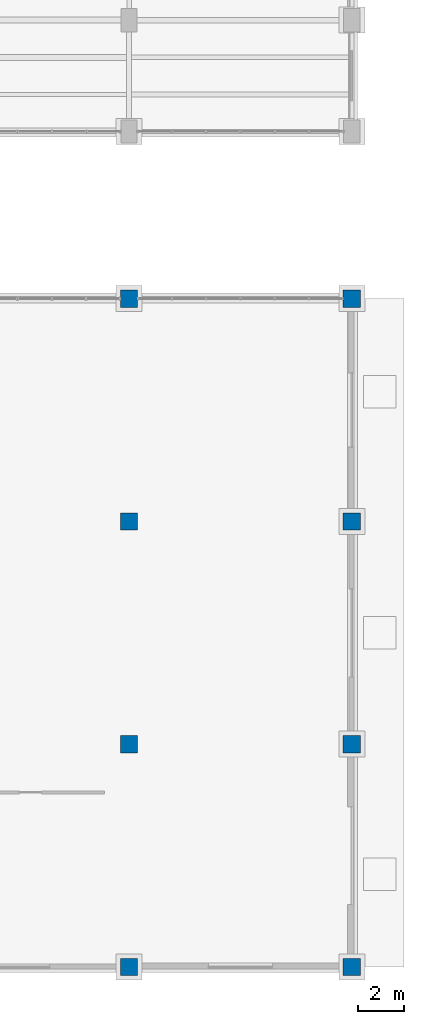
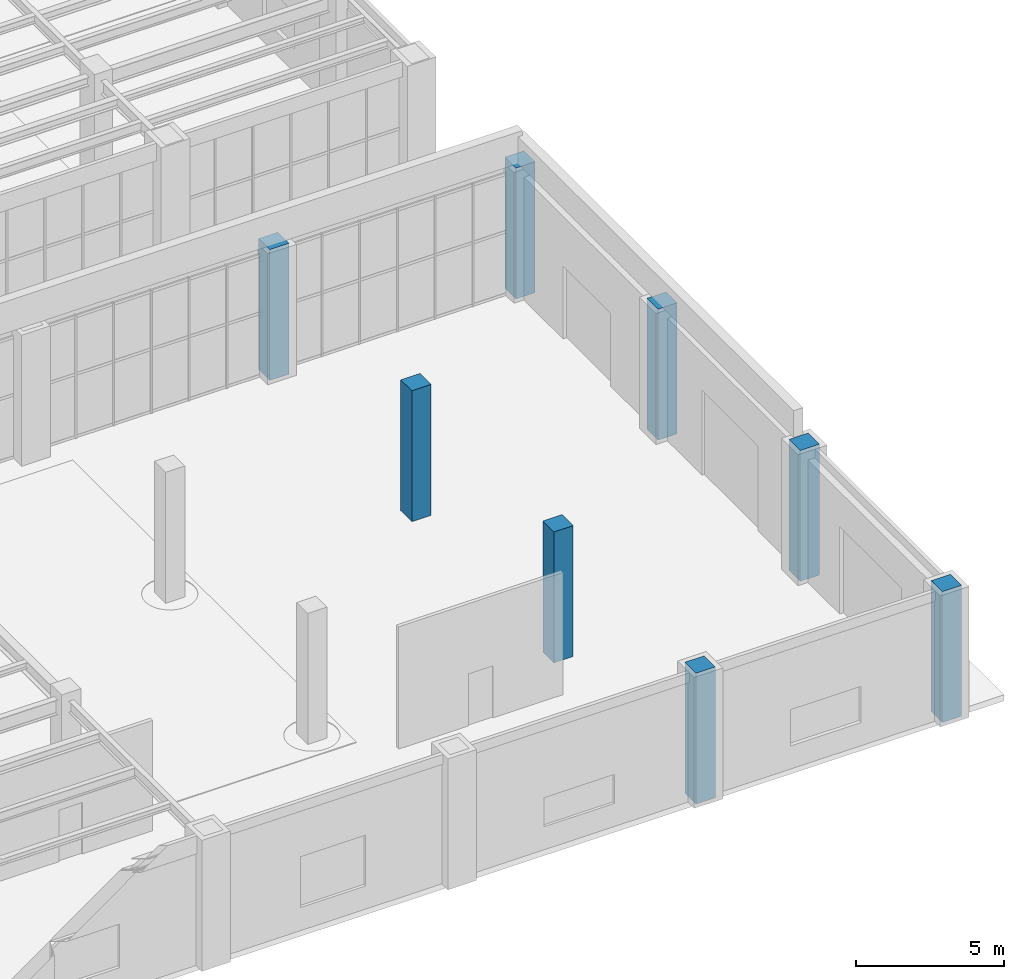
# One storey, part 20 of 164: 8 columns.
"""IFC4 building model written with IfcOpenShell, lengths in metres."""

from ifc_helpers import new_model, si_unit, direction, frame, origin, origin_2d, place, context, subcontext, project, spatial, rectangle, extrude, material, material_profile, profile_set, type_object, element, save


model = new_model("IFC4")

# Units and contexts
model_context = context("Model", 3, precision=1e-05, world=origin(), true_north=direction((0.0, 1.0)))
body_context = subcontext(model_context, "Body", "Model", "MODEL_VIEW")
ifc_project = project(units=[si_unit("LENGTHUNIT", "METRE"), si_unit("AREAUNIT", "SQUARE_METRE"), si_unit("VOLUMEUNIT", "CUBIC_METRE"), si_unit("PLANEANGLEUNIT", "RADIAN"), si_unit("MASSUNIT", "GRAM", prefix="KILO")], contexts=[model_context])

# Site, building, storey
site_placement = place(None, origin())
site = spatial("IfcSite", under=ifc_project, at=site_placement, CompositionType="ELEMENT")
building_placement = place(site_placement, origin())
building = spatial("IfcBuilding", under=site, at=building_placement, Name="Mavantir Sound Aquarium", CompositionType="ELEMENT")
storey_placement = place(building_placement, origin())
storey = spatial("IfcBuildingStorey", under=building, at=storey_placement, Name="L00", CompositionType="ELEMENT", Elevation=0.0)

# Columns
ifc_material = material(Name="Concrete C40/50", Category="concrete")
ifc_material_profile_1 = material_profile(ifc_material, rectangle(XDim=0.75, YDim=0.75, at=origin_2d()), Name="RC 750X750")
ifc_profile_set_1 = profile_set([ifc_material_profile_1], Name="Concrete C40/50")
column_type_1 = type_object("IfcColumnType", Name="COL-RC750-E", PredefinedType="COLUMN", material=ifc_profile_set_1)
for number, where, z_axis, x_axis, name in (
    (1, (165.60009765625, 0.0, 0.0), (0.0, 0.0, 1.0), (1.0, 0.0, 0.0), "L00 column RC-C75 (V6)"),
    (2, (175.199951171875, 0.0, 0.0), (0.0, 0.0, 1.0), (1.0, 0.0, 0.0), "L00 column RC-C75 (V6)"),
    (3, (175.199951171875, 9.60009765625, 0.0), (0.0, 0.0, 1.0), (1.0, 0.0, 0.0), "L00 column RC-C75 (V6)"),
    (4, (175.199951171875, 19.199951171875, 0.0), (0.0, 0.0, 1.0), (1.0, 0.0, 0.0), "L00 column RC-C75 (V6)"),
    (5, (175.199951171875, 28.800048828125, 0.0), (0.0, 0.0, 1.0), (1.0, 0.0, 0.0), "L00 column RC-C75 (V6)"),
):
    element("IfcColumn", number, at=place(storey_placement, frame(where, z_axis=z_axis, x_axis=x_axis)), inside=storey, type_object=column_type_1, Name=name, PredefinedType="COLUMN", context=body_context, shape_type="SweptSolid", body=[
        extrude(rectangle(XDim=0.75, YDim=0.75, at=origin_2d()), origin(), (0.0, 0.0, 1.0), 5.39990234375),
    ])
ifc_material_profile_2 = material_profile(ifc_material, rectangle(XDim=0.75, YDim=0.75, at=origin_2d()), Name="RC 750X750")
ifc_profile_set_2 = profile_set([ifc_material_profile_2], Name="Concrete C40/50")
column_type_2 = type_object("IfcColumnType", Name="COL-RC750-I", PredefinedType="COLUMN", material=ifc_profile_set_2)
for number, where, z_axis, x_axis, name in (
    (6, (165.60009765625, 9.60009765625, 0.0), (0.0, 0.0, 1.0), (1.0, 0.0, 0.0), "L00 column RC-C75 (V6)"),
    (7, (165.60009765625, 19.199951171875, 0.0), (0.0, 0.0, 1.0), (1.0, 0.0, 0.0), "L00 column RC-C75 (V6)"),
    (8, (165.60009765625, 28.800048828125, 0.0), (0.0, 0.0, 1.0), (1.0, 0.0, 0.0), "L00 column RC-C75 (V6)"),
):
    element("IfcColumn", number, at=place(storey_placement, frame(where, z_axis=z_axis, x_axis=x_axis)), inside=storey, type_object=column_type_2, Name=name, PredefinedType="COLUMN", context=body_context, shape_type="SweptSolid", body=[
        extrude(rectangle(XDim=0.75, YDim=0.75, at=origin_2d()), origin(), (0.0, 0.0, 1.0), 5.39990234375),
    ])

save(model, "model.ifc")
